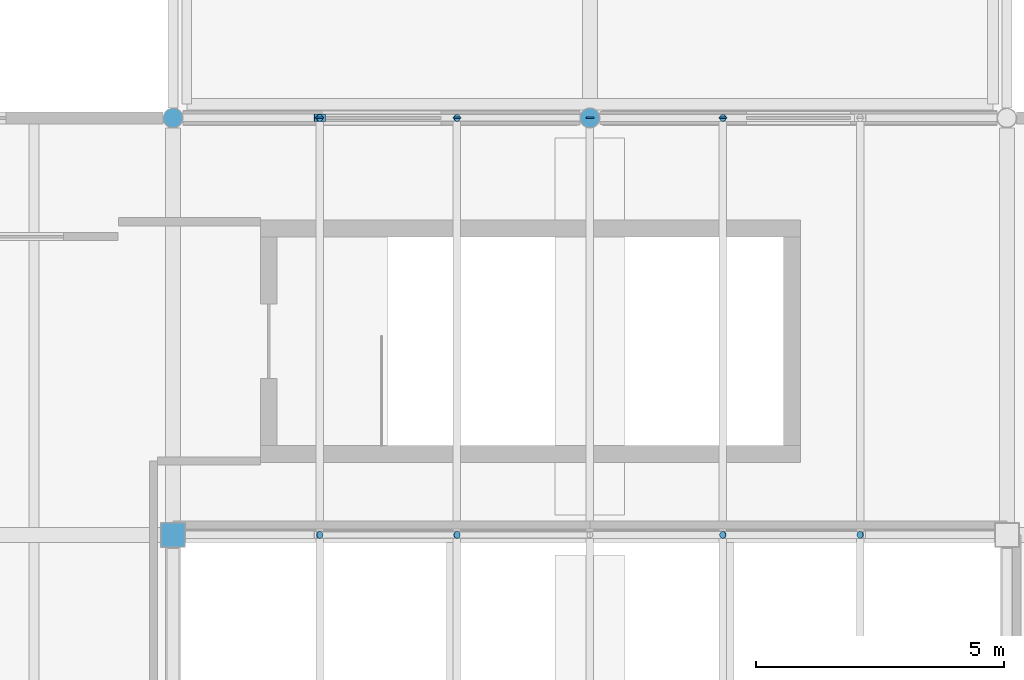
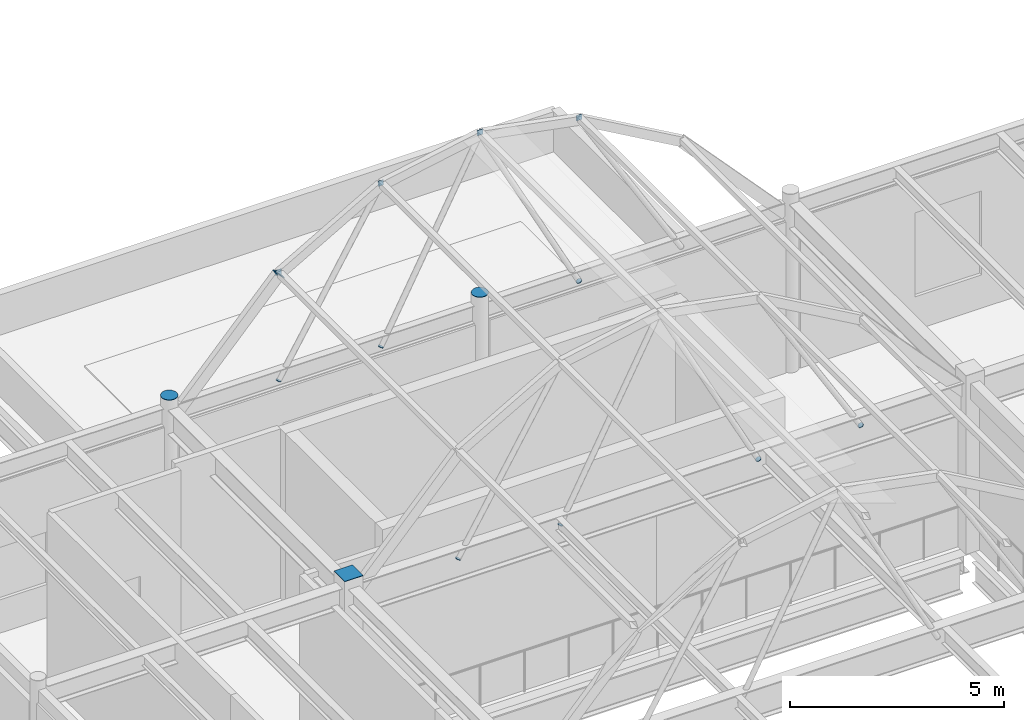
# One storey, part 80 of 103: 15 discrete accessories.
"""IFC4 building model written with IfcOpenShell, lengths in metres."""

from ifc_helpers import new_model, si_unit, direction, frame, origin, origin_2d, place, context, subcontext, project, spatial, rectangle, circle, extrude, material, type_object, element, save


model = new_model("IFC4")

# Units and contexts
model_context = context("Model", 3, precision=1e-05, world=origin(), true_north=direction((0.0, 1.0)))
body_context = subcontext(model_context, "Body", "Model", "MODEL_VIEW")
ifc_project = project(units=[si_unit("LENGTHUNIT", "METRE"), si_unit("AREAUNIT", "SQUARE_METRE"), si_unit("VOLUMEUNIT", "CUBIC_METRE"), si_unit("PLANEANGLEUNIT", "RADIAN"), si_unit("MASSUNIT", "GRAM", prefix="KILO"), si_unit("THERMODYNAMICTEMPERATUREUNIT", "KELVIN")], contexts=[model_context])

# Site, building, storey
site_placement = place(None, origin())
site = spatial("IfcSite", under=ifc_project, at=site_placement, CompositionType="ELEMENT")
building_placement = place(site_placement, origin())
building = spatial("IfcBuilding", under=site, at=building_placement, Name="Lustrewick Department Store", CompositionType="ELEMENT")
storey_placement = place(building_placement, frame((0.0, 0.0, 16.5)))
storey = spatial("IfcBuildingStorey", under=building, at=storey_placement, Name="L04", CompositionType="ELEMENT", Elevation=16.5)

# Discrete accessories
ifc_material = material(Name="Structural steel Q355C", Category="steel")
discrete_accessory_type = type_object("IfcDiscreteAccessoryType", Name="ECP-01", PredefinedType="USERDEFINED", material=ifc_material)
discrete_accessory_1_placement = place(storey_placement, frame((81.324462890625, 92.39990234375, 4.50048828125), z_axis=(-0.462788020817, 0.0, -0.886468977341), x_axis=(0.0, 1.0, 0.0)))
element("IfcDiscreteAccessory", 1, at=discrete_accessory_1_placement, inside=storey, type_object=discrete_accessory_type, Name="L04 Welded Hollow-Section End-Cap Plate ECP-01", ObjectType="END_CAP_PLATE", PredefinedType="USERDEFINED", context=body_context, shape_type="SweptSolid", body=[
    extrude(circle(Radius=0.070068359375, at=origin_2d()), origin(), (0.0, 0.0, 1.0), 0.01611328125),
])
discrete_accessory_2_placement = place(storey_placement, frame((78.554443359375, 100.7939453125, 7.585205078125), z_axis=(0.0, 1.0, 0.0), x_axis=(-1.0, 0.0, 0.0)))
element("IfcDiscreteAccessory", 2, at=discrete_accessory_2_placement, inside=storey, type_object=discrete_accessory_type, Name="L04 Welded Hollow-Section End-Cap Plate ECP-01", ObjectType="END_CAP_PLATE", PredefinedType="USERDEFINED", context=body_context, shape_type="SweptSolid", body=[
    extrude(rectangle(XDim=0.14990234375, YDim=0.14990234375, at=origin_2d()), origin(), (0.0, 0.0, 1.0), 0.01611328125),
])
for number, where, z_axis, x_axis, name in (
    (3, (86.675537109375, 92.39990234375, 4.50048828125), (0.462788020817, 0.0, -0.886468977341), (0.0, -1.0, 0.0), "L04 Welded Hollow-Section End-Cap Plate ECP-01"),
    (4, (78.55810546875, 100.800048828125, 4.500244140625), (-0.513782216913, 0.0, -0.857920645272), (0.0, 1.0, 0.0), "L04 Welded Hollow-Section End-Cap Plate ECP-01"),
    (5, (78.55810546875, 92.39990234375, 4.500244140625), (-0.513782216913, 0.0, -0.857920645272), (0.0, 1.0, 0.0), "L04 Welded Hollow-Section End-Cap Plate ECP-01"),
    (6, (81.324462890625, 100.800048828125, 4.50048828125), (-0.462788020817, 0.0, -0.886468977341), (0.0, 1.0, 0.0), "L04 Welded Hollow-Section End-Cap Plate ECP-01"),
):
    element("IfcDiscreteAccessory", number, at=place(storey_placement, frame(where, z_axis=z_axis, x_axis=x_axis)), inside=storey, type_object=discrete_accessory_type, Name=name, ObjectType="END_CAP_PLATE", PredefinedType="USERDEFINED", context=body_context, shape_type="SweptSolid", body=[
        extrude(circle(Radius=0.070068359375, at=origin_2d()), origin(), (0.0, 0.0, 1.0), 0.01611328125),
    ])
discrete_accessory_3_placement = place(storey_placement, frame((81.3212890625, 100.7939453125, 9.166259765625), z_axis=(0.0, 1.0, 0.0), x_axis=(-1.0, 0.0, 0.0)))
element("IfcDiscreteAccessory", 7, at=discrete_accessory_3_placement, inside=storey, type_object=discrete_accessory_type, Name="L04 Welded Hollow-Section End-Cap Plate ECP-01", ObjectType="END_CAP_PLATE", PredefinedType="USERDEFINED", context=body_context, shape_type="SweptSolid", body=[
    extrude(rectangle(XDim=0.14990234375, YDim=0.14990234375, at=origin_2d()), origin(), (0.0, 0.0, 1.0), 0.01611328125),
])
discrete_accessory_4_placement = place(storey_placement, frame((86.675537109375, 100.800048828125, 4.50048828125), z_axis=(0.462788020817, 0.0, -0.886468977341), x_axis=(0.0, -1.0, 0.0)))
element("IfcDiscreteAccessory", 8, at=discrete_accessory_4_placement, inside=storey, type_object=discrete_accessory_type, Name="L04 Welded Hollow-Section End-Cap Plate ECP-01", ObjectType="END_CAP_PLATE", PredefinedType="USERDEFINED", context=body_context, shape_type="SweptSolid", body=[
    extrude(circle(Radius=0.070068359375, at=origin_2d()), origin(), (0.0, 0.0, 1.0), 0.01611328125),
])
discrete_accessory_5_placement = place(storey_placement, frame((78.551025390625, 100.800048828125, 7.52978515625), z_axis=(0.678233515991, 0.0, 0.734846445039), x_axis=(0.0, 1.0, 0.0)))
element("IfcDiscreteAccessory", 9, at=discrete_accessory_5_placement, inside=storey, type_object=discrete_accessory_type, Name="L04 Welded Hollow-Section End-Cap Plate ECP-01", ObjectType="END_CAP_PLATE", PredefinedType="USERDEFINED", context=body_context, shape_type="SweptSolid", body=[
    extrude(rectangle(XDim=0.14990234375, YDim=0.300048828125, at=origin_2d()), origin(), (0.0, 0.0, 1.0), 0.01611328125),
])
discrete_accessory_6_placement = place(storey_placement, frame((84.0, 100.7939453125, 9.67626953125), z_axis=(0.0, 1.0, 0.0), x_axis=(-1.0, 0.0, 0.0)))
element("IfcDiscreteAccessory", 10, at=discrete_accessory_6_placement, inside=storey, type_object=discrete_accessory_type, Name="L04 Welded Hollow-Section End-Cap Plate ECP-01", ObjectType="END_CAP_PLATE", PredefinedType="USERDEFINED", context=body_context, shape_type="SweptSolid", body=[
    extrude(rectangle(XDim=0.14990234375, YDim=0.14990234375, at=origin_2d()), origin(), (0.0, 0.0, 1.0), 0.01611328125),
])
discrete_accessory_7_placement = place(storey_placement, frame((84.0, 100.800048828125, 5.093994140625), z_axis=(0.0, 0.0, 1.0), x_axis=(1.0, 0.0, 0.0)))
element("IfcDiscreteAccessory", 11, at=discrete_accessory_7_placement, inside=storey, type_object=discrete_accessory_type, Name="L04 Welded Hollow-Section End-Cap Plate ECP-01", ObjectType="END_CAP_PLATE", PredefinedType="USERDEFINED", context=body_context, shape_type="SweptSolid", body=[
    extrude(circle(Radius=0.202880859375, at=origin_2d()), origin(), (0.0, 0.0, 1.0), 0.01611328125),
])
discrete_accessory_8_placement = place(storey_placement, frame((75.60009765625, 92.39990234375, 5.093994140625), z_axis=(0.0, 0.0, 1.0), x_axis=(1.0, 0.0, 0.0)))
element("IfcDiscreteAccessory", 12, at=discrete_accessory_8_placement, inside=storey, type_object=discrete_accessory_type, Name="L04 Welded Hollow-Section End-Cap Plate ECP-01", ObjectType="END_CAP_PLATE", PredefinedType="USERDEFINED", context=body_context, shape_type="SweptSolid", body=[
    extrude(rectangle(XDim=0.5, YDim=0.5, at=origin_2d()), origin(), (0.0, 0.0, 1.0), 0.01611328125),
])
discrete_accessory_9_placement = place(storey_placement, frame((86.6787109375, 100.7939453125, 9.166259765625), z_axis=(0.0, 1.0, 0.0), x_axis=(-1.0, 0.0, 0.0)))
element("IfcDiscreteAccessory", 13, at=discrete_accessory_9_placement, inside=storey, type_object=discrete_accessory_type, Name="L04 Welded Hollow-Section End-Cap Plate ECP-01", ObjectType="END_CAP_PLATE", PredefinedType="USERDEFINED", context=body_context, shape_type="SweptSolid", body=[
    extrude(rectangle(XDim=0.14990234375, YDim=0.14990234375, at=origin_2d()), origin(), (0.0, 0.0, 1.0), 0.01611328125),
])
discrete_accessory_10_placement = place(storey_placement, frame((75.60009765625, 100.800048828125, 5.093994140625), z_axis=(0.0, 0.0, 1.0), x_axis=(1.0, 0.0, 0.0)))
element("IfcDiscreteAccessory", 14, at=discrete_accessory_10_placement, inside=storey, type_object=discrete_accessory_type, Name="L04 Welded Hollow-Section End-Cap Plate ECP-01", ObjectType="END_CAP_PLATE", PredefinedType="USERDEFINED", context=body_context, shape_type="SweptSolid", body=[
    extrude(circle(Radius=0.202880859375, at=origin_2d()), origin(), (0.0, 0.0, 1.0), 0.01611328125),
])
discrete_accessory_11_placement = place(storey_placement, frame((89.44189453125, 92.39990234375, 4.500244140625), z_axis=(0.513782216913, 0.0, -0.857920645272), x_axis=(0.0, -1.0, 0.0)))
element("IfcDiscreteAccessory", 15, at=discrete_accessory_11_placement, inside=storey, type_object=discrete_accessory_type, Name="L04 Welded Hollow-Section End-Cap Plate ECP-01", ObjectType="END_CAP_PLATE", PredefinedType="USERDEFINED", context=body_context, shape_type="SweptSolid", body=[
    extrude(circle(Radius=0.070068359375, at=origin_2d()), origin(), (0.0, 0.0, 1.0), 0.01611328125),
])

save(model, "model.ifc")
